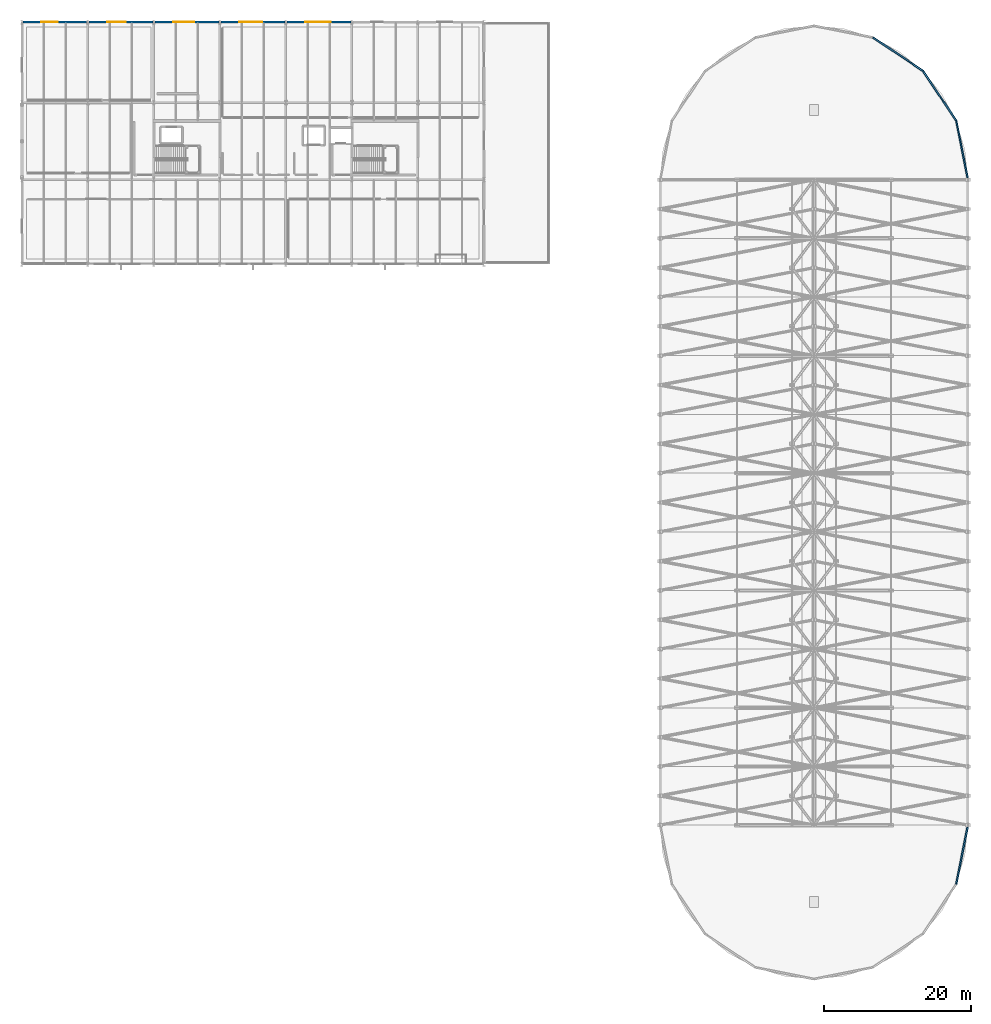
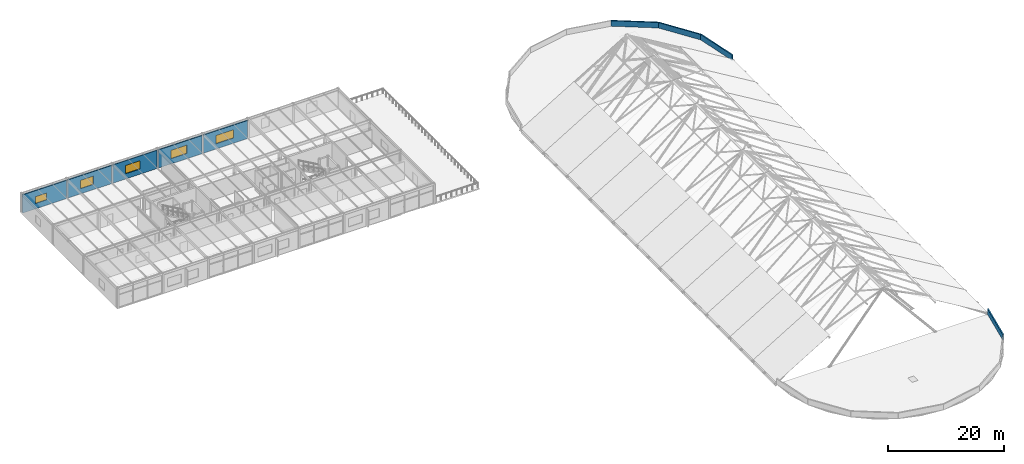
# One storey, part 20 of 44: 9 walls, 5 windows, 5 openings.
"""IFC4 building model written with IfcOpenShell, lengths in metres."""

from ifc_helpers import new_model, si_unit, direction, frame, frame_2d, origin, place, context, subcontext, project, spatial, rectangle, extrude, material, layer, layer_set, type_object, element, fill, save


model = new_model("IFC4")

# Units and contexts
model_context = context("Model", 3, precision=1e-05, world=origin(), true_north=direction((0.0, 1.0)))
body_context = subcontext(model_context, "Body", "Model", "MODEL_VIEW")
ifc_project = project(units=[si_unit("LENGTHUNIT", "METRE"), si_unit("AREAUNIT", "SQUARE_METRE"), si_unit("VOLUMEUNIT", "CUBIC_METRE"), si_unit("PLANEANGLEUNIT", "RADIAN"), si_unit("MASSUNIT", "GRAM", prefix="KILO")], contexts=[model_context])

# Site, building, storey
site_placement = place(None, origin())
site = spatial("IfcSite", under=ifc_project, at=site_placement, CompositionType="ELEMENT")
building_placement = place(site_placement, origin())
building = spatial("IfcBuilding", under=site, at=building_placement, Name="Marlcrest Central Station", CompositionType="ELEMENT")
storey_placement = place(building_placement, frame((0.0, 0.0, 19.5)))
storey = spatial("IfcBuildingStorey", under=building, at=storey_placement, Name="L04", CompositionType="ELEMENT", Elevation=19.5)

# Walls
ifc_material_1 = material(Name="Precast concrete C40/50", Category="concrete")
ifc_layer_1 = layer(ifc_material_1, 0.22998046875, Name="EP-02")
ifc_layer_set_1 = layer_set([ifc_layer_1], Name="Precast concrete C40/50")
wall_type_1 = type_object("IfcWallType", Name="EP-02", PredefinedType="PARAPET", material=ifc_layer_set_1)
wall_1_placement = place(storey_placement, frame((127.40087890625, 14.464111328125, 0.0), z_axis=(0.0, 0.0, 1.0), x_axis=(0.19517056122, 0.980769316421, 0.0)))
element("IfcWall", 1, at=wall_1_placement, inside=storey, type_object=wall_type_1, Name="ewall-L04-0022", PredefinedType="PARAPET", context=body_context, shape_type="SweptSolid", body=[
    extrude(rectangle(XDim=8.193359375, YDim=0.22998046875, at=frame_2d((4.0966796875, 0.0))), origin(), (0.0, 0.0, 1.0), 1.14990234375),
])
for number, where, z_axis, x_axis, name in (
    (2, (116.035888671875, 129.90087890625, 0.0), (0.0, 0.0, 1.0), (0.831508991937, -0.55551129271, 0.0), "ewall-L04-0028"),
    (3, (122.84912109375, 125.34912109375, 0.0), (0.0, 0.0, 1.0), (0.55551129271, -0.831508991937, 0.0), "ewall-L04-0029"),
):
    element("IfcWall", number, at=place(storey_placement, frame(where, z_axis=z_axis, x_axis=x_axis)), inside=storey, type_object=wall_type_1, Name=name, PredefinedType="PARAPET", context=body_context, shape_type="SweptSolid", body=[
        extrude(rectangle(XDim=8.19384765625, YDim=0.22998046875, at=frame_2d((4.096923828125, 0.0))), origin(), (0.0, 0.0, 1.0), 1.14990234375),
    ])
wall_2_placement = place(storey_placement, frame((127.40087890625, 118.535888671875, 0.0), z_axis=(0.0, 0.0, 1.0), x_axis=(0.19517056122, -0.980769316421, 0.0)))
element("IfcWall", 4, at=wall_2_placement, inside=storey, type_object=wall_type_1, Name="ewall-L04-0030", PredefinedType="PARAPET", context=body_context, shape_type="SweptSolid", body=[
    extrude(rectangle(XDim=8.193359375, YDim=0.22998046875, at=frame_2d((4.0966796875, 0.0))), origin(), (0.0, 0.0, 1.0), 1.14990234375),
])

# Wall, opening, window
ifc_layer_2 = layer(ifc_material_1, 0.260009765625, Name="EW-03")
ifc_layer_set_2 = layer_set([ifc_layer_2], Name="Precast concrete C40/50")
wall_type_2 = type_object("IfcWallType", Name="EW-03", PredefinedType="SOLIDWALL", material=ifc_layer_set_2)
wall_3_placement = place(storey_placement, frame((0.14990234375, 132.0, 0.0), z_axis=(0.0, 0.0, 1.0), x_axis=(1.0, 0.0, 0.0)))
wall_3 = element("IfcWall", 5, at=wall_3_placement, inside=storey, type_object=wall_type_2, Name="ewall-L04-0170", PredefinedType="SOLIDWALL", context=body_context, shape_type="SweptSolid", body=[
    extrude(rectangle(XDim=8.7001953125, YDim=0.260009765625, at=frame_2d((4.35009765625, 0.0))), origin(), (0.0, 0.0, 1.0), 3.85009765625),
])
opening_1_placement = place(wall_3_placement, frame((2.5, 0.0, 1.10009765625)))
opening_1 = element("IfcOpeningElement", 6, at=opening_1_placement, cuts=wall_3, Name="Opening WN-16", PredefinedType="OPENING", context=body_context, shape_type="SweptSolid", body=[
    extrude(rectangle(XDim=2.25, YDim=1.449951171875, at=frame_2d((1.125, 0.72509765625))), frame((0.0, 0.139892578125, 0.0), z_axis=(0.0, -1.0, 0.0), x_axis=(1.0, 0.0, 0.0)), (0.0, 0.0, 1.0), 0.280029296875),
])
ifc_material_2 = material(Name="Thermally broken bronze-anodised aluminium and laminated low-E glass", Category="aluminium")
window_type_1 = type_object("IfcWindowType", Name="WN-16", PartitioningType="SINGLE_PANEL", PredefinedType="WINDOW", material=ifc_material_2)
window_1_placement = place(opening_1_placement, origin())
window_1 = element("IfcWindow", 7, at=window_1_placement, inside=storey, type_object=window_type_1, Name="ewin-L04-0133", OverallHeight=1.449951171875, OverallWidth=2.25, PartitioningType="SINGLE_PANEL", PredefinedType="WINDOW", context=body_context, shape_type="SweptSolid", body=[
    extrude(rectangle(XDim=2.25, YDim=1.449951171875, at=frame_2d((1.125, 0.72509765625))), frame((0.0, 0.030029296875, 0.0), z_axis=(0.0, -1.0, 0.0), x_axis=(1.0, 0.0, 0.0)), (0.0, 0.0, 1.0), 0.06005859375),
])
fill(opening_1, window_1)

wall_4_placement = place(storey_placement, frame((9.14990234375, 132.0, 0.0), z_axis=(0.0, 0.0, 1.0), x_axis=(1.0, 0.0, 0.0)))
wall_4 = element("IfcWall", 8, at=wall_4_placement, inside=storey, type_object=wall_type_2, Name="ewall-L04-0172", PredefinedType="SOLIDWALL", context=body_context, shape_type="SweptSolid", body=[
    extrude(rectangle(XDim=8.7001953125, YDim=0.260009765625, at=frame_2d((4.35009765625, 0.0))), origin(), (0.0, 0.0, 1.0), 3.85009765625),
])
opening_2_placement = place(wall_4_placement, frame((2.5, 0.0, 1.10009765625)))
opening_2 = element("IfcOpeningElement", 9, at=opening_2_placement, cuts=wall_4, Name="Opening WN-17", PredefinedType="OPENING", context=body_context, shape_type="SweptSolid", body=[
    extrude(rectangle(XDim=2.550048828125, YDim=1.75, at=frame_2d((1.27490234375, 0.875))), frame((0.0, 0.139892578125, 0.0), z_axis=(0.0, -1.0, 0.0), x_axis=(1.0, 0.0, 0.0)), (0.0, 0.0, 1.0), 0.280029296875),
])
window_type_2 = type_object("IfcWindowType", Name="WN-17", PartitioningType="SINGLE_PANEL", PredefinedType="WINDOW", material=ifc_material_2)
window_2_placement = place(opening_2_placement, origin())
window_2 = element("IfcWindow", 10, at=window_2_placement, inside=storey, type_object=window_type_2, Name="ewin-L04-0136", OverallHeight=1.75, OverallWidth=2.550048828125, PartitioningType="SINGLE_PANEL", PredefinedType="WINDOW", context=body_context, shape_type="SweptSolid", body=[
    extrude(rectangle(XDim=2.550048828125, YDim=1.75, at=frame_2d((1.27490234375, 0.875))), frame((0.0, 0.030029296875, 0.0), z_axis=(0.0, -1.0, 0.0), x_axis=(1.0, 0.0, 0.0)), (0.0, 0.0, 1.0), 0.06005859375),
])
fill(opening_2, window_2)

wall_5_placement = place(storey_placement, frame((18.14990234375, 132.0, 0.0), z_axis=(0.0, 0.0, 1.0), x_axis=(1.0, 0.0, 0.0)))
wall_5 = element("IfcWall", 11, at=wall_5_placement, inside=storey, type_object=wall_type_2, Name="ewall-L04-0173", PredefinedType="SOLIDWALL", context=body_context, shape_type="SweptSolid", body=[
    extrude(rectangle(XDim=8.7001953125, YDim=0.260009765625, at=frame_2d((4.35009765625, 0.0))), origin(), (0.0, 0.0, 1.0), 3.85009765625),
])
opening_3_placement = place(wall_5_placement, frame((2.5, 0.0, 1.10009765625)))
opening_3 = element("IfcOpeningElement", 12, at=opening_3_placement, cuts=wall_5, Name="Opening WN-18", PredefinedType="OPENING", context=body_context, shape_type="SweptSolid", body=[
    extrude(rectangle(XDim=2.85009765625, YDim=1.75, at=frame_2d((1.425048828125, 0.875))), frame((0.0, 0.139892578125, 0.0), z_axis=(0.0, -1.0, 0.0), x_axis=(1.0, 0.0, 0.0)), (0.0, 0.0, 1.0), 0.280029296875),
])
window_type_3 = type_object("IfcWindowType", Name="WN-18", PartitioningType="SINGLE_PANEL", PredefinedType="WINDOW", material=ifc_material_2)
window_3_placement = place(opening_3_placement, origin())
window_3 = element("IfcWindow", 13, at=window_3_placement, inside=storey, type_object=window_type_3, Name="ewin-L04-0137", OverallHeight=1.75, OverallWidth=2.85009765625, PartitioningType="SINGLE_PANEL", PredefinedType="WINDOW", context=body_context, shape_type="SweptSolid", body=[
    extrude(rectangle(XDim=2.85009765625, YDim=1.75, at=frame_2d((1.425048828125, 0.875))), frame((0.0, 0.030029296875, 0.0), z_axis=(0.0, -1.0, 0.0), x_axis=(1.0, 0.0, 0.0)), (0.0, 0.0, 1.0), 0.06005859375),
])
fill(opening_3, window_3)

wall_6_placement = place(storey_placement, frame((27.14990234375, 132.0, 0.0), z_axis=(0.0, 0.0, 1.0), x_axis=(1.0, 0.0, 0.0)))
wall_6 = element("IfcWall", 14, at=wall_6_placement, inside=storey, type_object=wall_type_2, Name="ewall-L04-0175", PredefinedType="SOLIDWALL", context=body_context, shape_type="SweptSolid", body=[
    extrude(rectangle(XDim=8.7001953125, YDim=0.260009765625, at=frame_2d((4.35009765625, 0.0))), origin(), (0.0, 0.0, 1.0), 3.85009765625),
])
opening_4_placement = place(wall_6_placement, frame((2.5, 0.0, 1.10009765625)))
opening_4 = element("IfcOpeningElement", 15, at=opening_4_placement, cuts=wall_6, Name="Opening WN-19", PredefinedType="OPENING", context=body_context, shape_type="SweptSolid", body=[
    extrude(rectangle(XDim=3.14990234375, YDim=1.75, at=frame_2d((1.574951171875, 0.875))), frame((0.0, 0.139892578125, 0.0), z_axis=(0.0, -1.0, 0.0), x_axis=(1.0, 0.0, 0.0)), (0.0, 0.0, 1.0), 0.280029296875),
])
window_type_4 = type_object("IfcWindowType", Name="WN-19", PartitioningType="SINGLE_PANEL", PredefinedType="WINDOW", material=ifc_material_2)
window_4_placement = place(opening_4_placement, origin())
window_4 = element("IfcWindow", 16, at=window_4_placement, inside=storey, type_object=window_type_4, Name="ewin-L04-0140", OverallHeight=1.75, OverallWidth=3.14990234375, PartitioningType="SINGLE_PANEL", PredefinedType="WINDOW", context=body_context, shape_type="SweptSolid", body=[
    extrude(rectangle(XDim=3.14990234375, YDim=1.75, at=frame_2d((1.574951171875, 0.875))), frame((0.0, 0.030029296875, 0.0), z_axis=(0.0, -1.0, 0.0), x_axis=(1.0, 0.0, 0.0)), (0.0, 0.0, 1.0), 0.06005859375),
])
fill(opening_4, window_4)

wall_7_placement = place(storey_placement, frame((36.14990234375, 132.0, 0.0), z_axis=(0.0, 0.0, 1.0), x_axis=(1.0, 0.0, 0.0)))
wall_7 = element("IfcWall", 17, at=wall_7_placement, inside=storey, type_object=wall_type_2, Name="ewall-L04-0176", PredefinedType="SOLIDWALL", context=body_context, shape_type="SweptSolid", body=[
    extrude(rectangle(XDim=8.7001953125, YDim=0.260009765625, at=frame_2d((4.35009765625, 0.0))), origin(), (0.0, 0.0, 1.0), 3.85009765625),
])
opening_5_placement = place(wall_7_placement, frame((2.5, 0.0, 1.10009765625)))
opening_5 = element("IfcOpeningElement", 18, at=opening_5_placement, cuts=wall_7, Name="Opening WN-20", PredefinedType="OPENING", context=body_context, shape_type="SweptSolid", body=[
    extrude(rectangle(XDim=3.449951171875, YDim=1.75, at=frame_2d((1.72509765625, 0.875))), frame((0.0, 0.139892578125, 0.0), z_axis=(0.0, -1.0, 0.0), x_axis=(1.0, 0.0, 0.0)), (0.0, 0.0, 1.0), 0.280029296875),
])
window_type_5 = type_object("IfcWindowType", Name="WN-20", PartitioningType="SINGLE_PANEL", PredefinedType="WINDOW", material=ifc_material_2)
window_5_placement = place(opening_5_placement, origin())
window_5 = element("IfcWindow", 19, at=window_5_placement, inside=storey, type_object=window_type_5, Name="ewin-L04-0141", OverallHeight=1.75, OverallWidth=3.449951171875, PartitioningType="SINGLE_PANEL", PredefinedType="WINDOW", context=body_context, shape_type="SweptSolid", body=[
    extrude(rectangle(XDim=3.449951171875, YDim=1.75, at=frame_2d((1.72509765625, 0.875))), frame((0.0, 0.030029296875, 0.0), z_axis=(0.0, -1.0, 0.0), x_axis=(1.0, 0.0, 0.0)), (0.0, 0.0, 1.0), 0.06005859375),
])
fill(opening_5, window_5)

save(model, "model.ifc")
